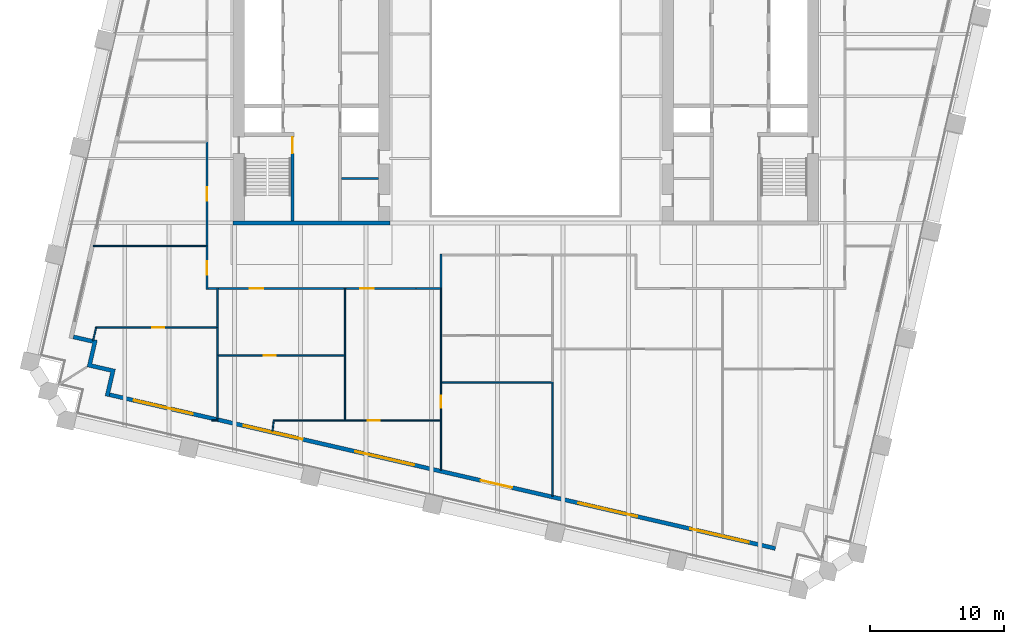
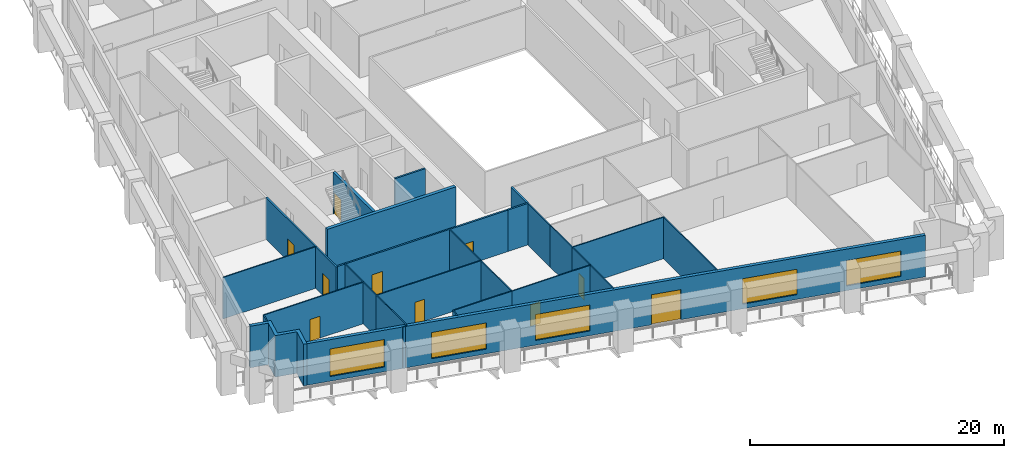
# One storey, part 4 of 12: 31 walls, 10 doors, 5 windows, 15 openings.
"""IFC4 building model written with IfcOpenShell, lengths in metres."""

import ifcopenshell
import ifcopenshell.guid

model = None  # the IFC model being written
_history = None  # IfcOwnerHistory: only IFC2X3 demands one
_inside = {}  # id of a spatial element -> (the spatial element, [elements in it])
_under = {}  # id of a project, library or spatial element -> (it, [spatial elements below it])
_declared = {}  # id of a project -> (the project, [libraries it declares])
_typed = {}  # id of a type object -> (the type object, [elements of that type])
_made_of = {}  # id of a material, layer set ... -> (it, [elements and type objects made of it])


def new_model(schema):
    """Start an empty IFC model of exactly this schema.

    Asked for "IFC4X3", IfcOpenShell would pick the latest addendum, in which some entities
    have other attributes; the version numbers below select the first issue.
    IFC2X3 requires an IfcOwnerHistory on every rooted entity: one is made here for all.
    """
    global model, _history
    if schema == "IFC4X3":
        model = ifcopenshell.file(schema_version=(4, 3, 0, 0))
    else:
        model = ifcopenshell.file(schema=schema)
    _inside.clear()
    _under.clear()
    _declared.clear()
    _typed.clear()
    _made_of.clear()
    _history = None
    if model.schema == "IFC2X3":
        org = make("IfcOrganization", Name="unknown")
        user = make(
            "IfcPersonAndOrganization",
            ThePerson=make("IfcPerson", FamilyName="unknown"),
            TheOrganization=org,
        )
        app = make(
            "IfcApplication",
            ApplicationDeveloper=org,
            Version="unknown",
            ApplicationFullName="unknown",
            ApplicationIdentifier="unknown",
        )
        _history = make(
            "IfcOwnerHistory",
            OwningUser=user,
            OwningApplication=app,
            ChangeAction="ADDED",
            CreationDate=0,
        )
    return model


def make(cls, **values):
    """One entity of the class cls with the attributes given. An attribute that is None is left unset."""
    return model.create_entity(
        cls, **{name: value for name, value in values.items() if value is not None}
    )


def rooted(cls, **values):
    """An entity with a GlobalId (a new one), such as an element, a storey or a relation."""
    return make(cls, GlobalId=ifcopenshell.guid.new(), OwnerHistory=_history, **values)


def si_unit(unit_type, name, prefix=None):
    """IfcSIUnit, for example si_unit("LENGTHUNIT", "METRE", prefix="MILLI")."""
    return make("IfcSIUnit", UnitType=unit_type, Prefix=prefix, Name=name)


def assignment(units):
    """IfcUnitAssignment: the units of a project."""
    return None if units is None else make("IfcUnitAssignment", Units=units)


def point(xyz):
    """IfcCartesianPoint."""
    return None if xyz is None else make("IfcCartesianPoint", Coordinates=xyz)


def direction(xyz):
    """IfcDirection."""
    return None if xyz is None else make("IfcDirection", DirectionRatios=xyz)


def frame(location, z_axis=None, x_axis=None):
    """IfcAxis2Placement3D, a coordinate frame: its origin and axes. An axis left out is left unset."""
    return make(
        "IfcAxis2Placement3D",
        Location=point(location),
        Axis=direction(z_axis),
        RefDirection=direction(x_axis),
    )


def frame_2d(location, x_axis=None):
    """IfcAxis2Placement2D, a coordinate frame in the plane: its origin and x axis."""
    return make(
        "IfcAxis2Placement2D", Location=point(location), RefDirection=direction(x_axis)
    )


def origin():
    """The frame at (0, 0, 0) with its axes left unset."""
    return frame((0.0, 0.0, 0.0))


def place(relative_to, where):
    """IfcLocalPlacement: puts the frame where relative to a parent placement (None: the world)."""
    return make(
        "IfcLocalPlacement", PlacementRelTo=relative_to, RelativePlacement=where
    )


def context(
    kind, dimensions, precision=None, world=None, true_north=None, identifier=None
):
    """IfcGeometricRepresentationContext, for example the 3D "Model" context."""
    return make(
        "IfcGeometricRepresentationContext",
        ContextIdentifier=identifier,
        ContextType=kind,
        CoordinateSpaceDimension=dimensions,
        Precision=precision,
        WorldCoordinateSystem=world,
        TrueNorth=true_north,
    )


def subcontext(parent, identifier, kind, view, scale=None):
    """IfcGeometricRepresentationSubContext, for example "Body" below "Model"."""
    return make(
        "IfcGeometricRepresentationSubContext",
        ContextIdentifier=identifier,
        ContextType=kind,
        ParentContext=parent,
        TargetScale=scale,
        TargetView=view,
    )


def project(units=None, contexts=None):
    """IfcProject with its units and contexts."""
    return rooted(
        "IfcProject",
        Name="project",
        RepresentationContexts=contexts,
        UnitsInContext=assignment(units),
    )


def spatial(cls, under=None, at=None, **own):
    """A site, building, storey or space (cls), placed at a placement, below another one or the project."""
    s = rooted(cls, ObjectPlacement=at, **own)
    if under is not None:
        _under.setdefault(under.id(), (under, []))[1].append(s)
    return s


def polyline(points):
    """IfcPolyline through the points."""
    return make("IfcPolyline", Points=[point(p) for p in points])


def profile(cls, at=None, kind="AREA", **sizes):
    """A parametric profile (cls). Its sizes go by their IFC names, for example OverallWidth=200.0."""
    return make(cls, ProfileType=kind, Position=at, **sizes)


def rectangle(**sizes):
    """IfcRectangleProfileDef."""
    return profile("IfcRectangleProfileDef", **sizes)


def outline(outer, holes=None, kind="AREA"):
    """IfcArbitraryClosedProfileDef: a profile drawn as a closed curve; with holes, ...WithVoids."""
    if holes is None:
        return make("IfcArbitraryClosedProfileDef", ProfileType=kind, OuterCurve=outer)
    return make(
        "IfcArbitraryProfileDefWithVoids",
        ProfileType=kind,
        OuterCurve=outer,
        InnerCurves=holes,
    )


def extrude(swept, where, along, depth):
    """IfcExtrudedAreaSolid: the profile swept, set in the frame where, extruded along a direction by depth."""
    return make(
        "IfcExtrudedAreaSolid",
        SweptArea=swept,
        Position=where,
        ExtrudedDirection=direction(along),
        Depth=depth,
    )


def shape(context_of_items, identifier, shape_type, items):
    """IfcShapeRepresentation: the items that make up one representation, for example the "Body"."""
    return make(
        "IfcShapeRepresentation",
        ContextOfItems=context_of_items,
        RepresentationIdentifier=identifier,
        RepresentationType=shape_type,
        Items=items,
    )


def material(Name=None, Category=None):
    """IfcMaterial."""
    return make("IfcMaterial", Name=Name, Category=Category)


def layer(
    of_material, thickness, ventilated=None, Name=None, Category=None, Priority=None
):
    """IfcMaterialLayer: one layer of a wall or slab, of a material (None: an air gap)."""
    return make(
        "IfcMaterialLayer",
        Material=of_material,
        LayerThickness=thickness,
        IsVentilated=ventilated,
        Name=Name,
        Category=Category,
        Priority=Priority,
    )


def layer_set(layers, Name=None):
    """IfcMaterialLayerSet."""
    return make("IfcMaterialLayerSet", MaterialLayers=layers, LayerSetName=Name)


def made_of(thing, what):
    """Note that an element or type object is made of a material, layer set ...; save() writes the relation."""
    if what is not None:
        _made_of.setdefault(what.id(), (what, []))[1].append(thing)
    return thing


def type_object(cls, material=None, **own):
    """A type object (cls), such as IfcWallType, which elements share."""
    return made_of(rooted(cls, **own), material)


def element(
    cls,
    number,
    at=None,
    inside=None,
    cuts=None,
    type_object=None,
    material=None,
    context=None,
    identifier="Body",
    shape_type=None,
    held_by="IfcProductDefinitionShape",
    body=None,
    shapes=None,
    **own,
):
    """One element of the class cls, such as IfcWall. Its Tag is "e" and its number.

    at: its placement. inside: the storey or other place that contains it. cuts: it is an
    opening in that element (IfcRelVoidsElement). A single representation is given by context,
    identifier, shape_type and body (its items); several are given by shapes. held_by: the class
    of the entity that holds the representations. save() writes the other relations.
    """
    e = rooted(cls, Tag="e%d" % number, ObjectPlacement=at, **own)
    if body is not None:
        shapes = [shape(context, identifier, shape_type, body)]
    if shapes is not None:
        e.Representation = make(held_by, Representations=shapes)
    if inside is not None:
        _inside.setdefault(inside.id(), (inside, []))[1].append(e)
    if cuts is not None:
        rooted(
            "IfcRelVoidsElement", RelatingBuildingElement=cuts, RelatedOpeningElement=e
        )
    if type_object is not None:
        _typed.setdefault(type_object.id(), (type_object, []))[1].append(e)
    return made_of(e, material)


def fill(opening, filler):
    """IfcRelFillsElement: the door or window that sits in an opening."""
    return rooted(
        "IfcRelFillsElement",
        RelatingOpeningElement=opening,
        RelatedBuildingElement=filler,
    )


def aggregate(whole, parts):
    """IfcRelAggregates: a whole, such as a stair, and the parts it consists of."""
    return rooted("IfcRelAggregates", RelatingObject=whole, RelatedObjects=parts)


def save(model, path):
    """Write the relations noted so far, then the file.

    IfcRelAggregates (storeys below a building ...), IfcRelContainedInSpatialStructure (elements
    in a storey), IfcRelDefinesByType, IfcRelAssociatesMaterial and IfcRelDeclares: one each for
    every whole, place, type object, material and project.
    """
    for whole, parts in _under.values():
        aggregate(whole, parts)
    for where, things in _inside.values():
        rooted(
            "IfcRelContainedInSpatialStructure",
            RelatedElements=things,
            RelatingStructure=where,
        )
    for kind, things in _typed.values():
        rooted("IfcRelDefinesByType", RelatedObjects=things, RelatingType=kind)
    for what, things in _made_of.values():
        rooted("IfcRelAssociatesMaterial", RelatedObjects=things, RelatingMaterial=what)
    for by, libraries in _declared.values():
        rooted("IfcRelDeclares", RelatingContext=by, RelatedDefinitions=libraries)
    model.write(path)


model = new_model("IFC4")

# Units and contexts
model_context = context("Model", 3, precision=1e-05, world=origin(), true_north=direction((0.0, 1.0)))
body_context = subcontext(model_context, "Body", "Model", "MODEL_VIEW")
ifc_project = project(units=[si_unit("LENGTHUNIT", "METRE"), si_unit("AREAUNIT", "SQUARE_METRE"), si_unit("VOLUMEUNIT", "CUBIC_METRE"), si_unit("PLANEANGLEUNIT", "RADIAN"), si_unit("MASSUNIT", "GRAM", prefix="KILO")], contexts=[model_context])

# Site, building, storey
site_placement = place(None, origin())
site = spatial("IfcSite", under=ifc_project, at=site_placement, CompositionType="ELEMENT")
building_placement = place(site_placement, origin())
building = spatial("IfcBuilding", under=site, at=building_placement, Name="Ogive Exchange Tower", CompositionType="ELEMENT")
storey_placement = place(building_placement, frame((0.0, 0.0, 130.800048828125)))
storey = spatial("IfcBuildingStorey", under=building, at=storey_placement, Name="L28", CompositionType="ELEMENT", Elevation=130.800048828125)

# Wall
ifc_material_1 = material(Name="Gypsum board partition")
ifc_layer_1 = layer(ifc_material_1, 0.14990234375)
ifc_layer_set_1 = layer_set([ifc_layer_1], Name="Core room partition 150 gypsum")
wall_type_1 = type_object("IfcWallType", Name="Core room partition 150 gypsum", PredefinedType="PARTITIONING", material=ifc_layer_set_1)
wall_1_placement = place(storey_placement, frame((-13.75, 0.699951171875, 0.0), z_axis=(0.0, 0.0, 1.0), x_axis=(1.0, 0.0, 0.0)))
element("IfcWall", 1, at=wall_1_placement, inside=storey, type_object=wall_type_1, Name="W south room partition", PredefinedType="PARTITIONING", context=body_context, shape_type="SweptSolid", body=[
    extrude(rectangle(XDim=2.75, YDim=0.14990234375, at=frame_2d((1.375, 0.0))), origin(), (0.0, 0.0, 1.0), 4.0),
])

# Wall, opening, door
ifc_material_2 = material(Name="Fire partition EI 60 150")
ifc_layer_2 = layer(ifc_material_2, 0.14990234375)
ifc_layer_set_2 = layer_set([ifc_layer_2], Name="Fire partition EI 60 150")
wall_type_2 = type_object("IfcWallType", Name="Fire partition EI 60 150", PredefinedType="PARTITIONING", material=ifc_layer_set_2)
wall_2_placement = place(storey_placement, frame((-23.800048828125, -7.574951171875, 0.0), z_axis=(0.0, 0.0, 1.0), x_axis=(0.0, 1.0, 0.0)))
wall_2 = element("IfcWall", 2, at=wall_2_placement, inside=storey, type_object=wall_type_2, Name="L28-PWL-003", PredefinedType="PARTITIONING", context=body_context, shape_type="SweptSolid", body=[
    extrude(rectangle(XDim=3.2548828125, YDim=0.14990234375, at=frame_2d((1.62744140625, 0.0))), origin(), (0.0, 0.0, 1.0), 4.0),
])
opening_1_placement = place(wall_2_placement, frame((1.10498046875, 0.0, 0.0)))
opening_1 = element("IfcOpeningElement", 3, at=opening_1_placement, cuts=wall_2, Name="Opening L28-I31", PredefinedType="OPENING", context=body_context, shape_type="SweptSolid", body=[
    extrude(rectangle(XDim=1.0, YDim=2.10009765625, at=frame_2d((0.5, 1.050048828125))), frame((0.0, 0.0849609375, 0.0), z_axis=(0.0, -1.0, 0.0), x_axis=(1.0, 0.0, 0.0)), (0.0, 0.0, 1.0), 0.169921875),
])
ifc_material_3 = material(Name="Fire door FD 30S 1000 x 2100")
door_type_1 = type_object("IfcDoorType", Name="Fire door FD 30S 1000 x 2100", OperationType="NOTDEFINED", PredefinedType="DOOR", material=ifc_material_3)
door_1_placement = place(opening_1_placement, origin())
door_1 = element("IfcDoor", 4, at=door_1_placement, inside=storey, type_object=door_type_1, Name="L28-IDR-031", ObjectType="DT3", OperationType="SINGLE_SWING_LEFT", OverallHeight=2.10009765625, OverallWidth=1.0, PredefinedType="DOOR", context=body_context, shape_type="SweptSolid", body=[
    extrude(rectangle(XDim=1.0, YDim=2.10009765625, at=frame_2d((0.5, 1.050048828125))), frame((0.0, 0.02490234375, 0.0), z_axis=(0.0, -1.0, 0.0), x_axis=(1.0, 0.0, 0.0)), (0.0, 0.0, 1.0), 0.050048828125),
])
fill(opening_1, door_1)

wall_3_placement = place(storey_placement, frame((-23.800048828125, -4.320068359375, 0.0), z_axis=(0.0, 0.0, 1.0), x_axis=(0.0, 1.0, 0.0)))
wall_3 = element("IfcWall", 5, at=wall_3_placement, inside=storey, type_object=wall_type_2, Name="L28-PWL-005", PredefinedType="PARTITIONING", context=body_context, shape_type="SweptSolid", body=[
    extrude(rectangle(XDim=7.820068359375, YDim=0.14990234375, at=frame_2d((3.91015625, 0.0))), origin(), (0.0, 0.0, 1.0), 4.0),
])
opening_2_placement = place(wall_3_placement, frame((3.3701171875, 0.0, 0.0)))
opening_2 = element("IfcOpeningElement", 6, at=opening_2_placement, cuts=wall_3, Name="Opening L28-I26", PredefinedType="OPENING", context=body_context, shape_type="SweptSolid", body=[
    extrude(rectangle(XDim=1.0, YDim=2.10009765625, at=frame_2d((0.5, 1.050048828125))), frame((0.0, 0.0849609375, 0.0), z_axis=(0.0, -1.0, 0.0), x_axis=(1.0, 0.0, 0.0)), (0.0, 0.0, 1.0), 0.169921875),
])
door_2_placement = place(opening_2_placement, origin())
door_2 = element("IfcDoor", 7, at=door_2_placement, inside=storey, type_object=door_type_1, Name="L28-IDR-026", ObjectType="DT3", OperationType="SINGLE_SWING_RIGHT", OverallHeight=2.10009765625, OverallWidth=1.0, PredefinedType="DOOR", context=body_context, shape_type="SweptSolid", body=[
    extrude(rectangle(XDim=1.0, YDim=2.10009765625, at=frame_2d((0.5, 1.050048828125))), frame((0.0, 0.02490234375, 0.0), z_axis=(0.0, -1.0, 0.0), x_axis=(1.0, 0.0, 0.0)), (0.0, 0.0, 1.0), 0.050048828125),
])
fill(opening_2, door_2)

# Wall
wall_4_placement = place(storey_placement, frame((-23.06005859375, -7.5, 0.0), z_axis=(0.0, 0.0, 1.0), x_axis=(-1.0, 0.0, 0.0)))
element("IfcWall", 8, at=wall_4_placement, inside=storey, type_object=wall_type_2, Name="L28-PWL-020", PredefinedType="PARTITIONING", context=body_context, shape_type="SweptSolid", body=[
    extrude(rectangle(XDim=0.6650390625, YDim=0.14990234375, at=frame_2d((0.33251953125, 0.0))), origin(), (0.0, 0.0, 1.0), 4.0),
])

# Wall, opening, door
wall_5_placement = place(storey_placement, frame((-13.550048828125, -7.5, 0.0), z_axis=(0.0, 0.0, 1.0), x_axis=(-1.0, 0.0, 0.0)))
wall_5 = element("IfcWall", 9, at=wall_5_placement, inside=storey, type_object=wall_type_2, Name="L28-PWL-034", PredefinedType="PARTITIONING", context=body_context, shape_type="SweptSolid", body=[
    extrude(rectangle(XDim=9.409912109375, YDim=0.14990234375, at=frame_2d((4.705078125, 0.0))), origin(), (0.0, 0.0, 1.0), 4.0),
])
opening_3_placement = place(wall_5_placement, frame((6.06005859375, 0.0, 0.0)))
opening_3 = element("IfcOpeningElement", 10, at=opening_3_placement, cuts=wall_5, Name="Opening L28-I30", PredefinedType="OPENING", context=body_context, shape_type="SweptSolid", body=[
    extrude(rectangle(XDim=1.0, YDim=2.10009765625, at=frame_2d((0.5, 1.050048828125))), frame((0.0, 0.0849609375, 0.0), z_axis=(0.0, -1.0, 0.0), x_axis=(1.0, 0.0, 0.0)), (0.0, 0.0, 1.0), 0.169921875),
])
door_3_placement = place(opening_3_placement, origin())
door_3 = element("IfcDoor", 11, at=door_3_placement, inside=storey, type_object=door_type_1, Name="L28-IDR-030", ObjectType="DT3", OperationType="SINGLE_SWING_LEFT", OverallHeight=2.10009765625, OverallWidth=1.0, PredefinedType="DOOR", context=body_context, shape_type="SweptSolid", body=[
    extrude(rectangle(XDim=1.0, YDim=2.10009765625, at=frame_2d((0.5, 1.050048828125))), frame((0.0, 0.02490234375, 0.0), z_axis=(0.0, -1.0, 0.0), x_axis=(1.0, 0.0, 0.0)), (0.0, 0.0, 1.0), 0.050048828125),
])
fill(opening_3, door_3)

wall_6_placement = place(storey_placement, frame((-8.199951171875, -7.5, 0.0), z_axis=(0.0, 0.0, 1.0), x_axis=(-1.0, 0.0, 0.0)))
wall_6 = element("IfcWall", 12, at=wall_6_placement, inside=storey, type_object=wall_type_2, Name="L28-PWL-035", PredefinedType="PARTITIONING", context=body_context, shape_type="SweptSolid", body=[
    extrude(rectangle(XDim=5.25, YDim=0.14990234375, at=frame_2d((2.625, 0.0))), origin(), (0.0, 0.0, 1.0), 4.0),
])
opening_4_placement = place(wall_6_placement, frame((3.14990234375, 0.0, 0.0)))
opening_4 = element("IfcOpeningElement", 13, at=opening_4_placement, cuts=wall_6, Name="Opening L28-I28", PredefinedType="OPENING", context=body_context, shape_type="SweptSolid", body=[
    extrude(rectangle(XDim=1.0, YDim=2.10009765625, at=frame_2d((0.5, 1.050048828125))), frame((0.0, 0.0849609375, 0.0), z_axis=(0.0, -1.0, 0.0), x_axis=(1.0, 0.0, 0.0)), (0.0, 0.0, 1.0), 0.169921875),
])
door_4_placement = place(opening_4_placement, origin())
door_4 = element("IfcDoor", 14, at=door_4_placement, inside=storey, type_object=door_type_1, Name="L28-IDR-028", ObjectType="DT3", OperationType="SINGLE_SWING_LEFT", OverallHeight=2.10009765625, OverallWidth=1.0, PredefinedType="DOOR", context=body_context, shape_type="SweptSolid", body=[
    extrude(rectangle(XDim=1.0, YDim=2.10009765625, at=frame_2d((0.5, 1.050048828125))), frame((0.0, 0.02490234375, 0.0), z_axis=(0.0, -1.0, 0.0), x_axis=(1.0, 0.0, 0.0)), (0.0, 0.0, 1.0), 0.050048828125),
])
fill(opening_4, door_4)

# Walls
wall_7_placement = place(storey_placement, frame((-6.389892578125, -7.489990234375, 0.0), z_axis=(0.0, 0.0, 1.0), x_axis=(-1.0, 0.0, 0.0)))
element("IfcWall", 15, at=wall_7_placement, inside=storey, type_object=wall_type_2, Name="L28-PWL-041", PredefinedType="PARTITIONING", context=body_context, shape_type="SweptSolid", body=[
    extrude(rectangle(XDim=1.81005859375, YDim=0.14990234375, at=frame_2d((0.905029296875, 0.0))), origin(), (0.0, 0.0, 1.0), 4.0),
])
wall_8_placement = place(storey_placement, frame((-6.340087890625, -4.925048828125, 0.0), z_axis=(0.0, 0.0, 1.0), x_axis=(0.0, -1.0, 0.0)))
element("IfcWall", 16, at=wall_8_placement, inside=storey, type_object=wall_type_2, Name="L28-PWL-042", PredefinedType="PARTITIONING", context=body_context, shape_type="SweptSolid", body=[
    extrude(rectangle(XDim=2.56494140625, YDim=0.14990234375, at=frame_2d((1.282470703125, 0.0))), origin(), (0.0, 0.0, 1.0), 4.0),
])

# Wall, openings, door, windows
ifc_material_4 = material(Name="Precast concrete C40/50", Category="concrete")
ifc_layer_3 = layer(ifc_material_4, 0.300048828125)
ifc_layer_set_3 = layer_set([ifc_layer_3], Name="Limestone-faced wall 300")
wall_type_3 = type_object("IfcWallType", Name="Limestone-faced wall 300", PredefinedType="STANDARD", material=ifc_layer_set_3)
wall_9_placement = place(storey_placement, frame((-31.07763671875, -15.4208984375, 0.0), z_axis=(0.0, 0.0, 1.0), x_axis=(0.974370456532, -0.224949357493, 0.0)))
wall_9 = element("IfcWall", 17, at=wall_9_placement, inside=storey, type_object=wall_type_3, Name="External wall S1", PredefinedType="STANDARD", context=body_context, shape_type="SweptSolid", body=[
    extrude(rectangle(XDim=51.0, YDim=0.300048828125, at=frame_2d((25.5, 0.0))), origin(), (0.0, 0.0, 1.0), 4.0),
])
opening_5_placement = place(wall_9_placement, frame((1.875, 0.0, 0.449951171875)))
opening_5 = element("IfcOpeningElement", 18, at=opening_5_placement, cuts=wall_9, Name="Opening W1K", PredefinedType="OPENING", context=body_context, shape_type="SweptSolid", body=[
    extrude(rectangle(XDim=4.5, YDim=2.64990234375, at=frame_2d((2.25, 1.324951171875))), frame((0.0, 0.159912109375, 0.0), z_axis=(0.0, -1.0, 0.0), x_axis=(1.0, 0.0, 0.0)), (0.0, 0.0, 1.0), 0.320068359375),
])
opening_6_placement = place(wall_9_placement, frame((10.27490234375, 0.0, 0.449951171875)))
opening_6 = element("IfcOpeningElement", 19, at=opening_6_placement, cuts=wall_9, Name="Opening W1N", PredefinedType="OPENING", context=body_context, shape_type="SweptSolid", body=[
    extrude(rectangle(XDim=4.5, YDim=2.52490234375, at=frame_2d((2.25, 1.262451171875))), frame((0.0, 0.159912109375, 0.0), z_axis=(0.0, -1.0, 0.0), x_axis=(1.0, 0.0, 0.0)), (0.0, 0.0, 1.0), 0.320068359375),
])
opening_7_placement = place(wall_9_placement, frame((18.824951171875, 0.0, 0.449951171875)))
opening_7 = element("IfcOpeningElement", 20, at=opening_7_placement, cuts=wall_9, Name="Opening W1O", PredefinedType="OPENING", context=body_context, shape_type="SweptSolid", body=[
    extrude(rectangle(XDim=4.5, YDim=2.5, at=frame_2d((2.25, 1.25))), frame((0.0, 0.159912109375, 0.0), z_axis=(0.0, -1.0, 0.0), x_axis=(1.0, 0.0, 0.0)), (0.0, 0.0, 1.0), 0.320068359375),
])
opening_8_placement = place(wall_9_placement, frame((28.425048828125, 0.0, 0.0)))
opening_8 = element("IfcOpeningElement", 21, at=opening_8_placement, cuts=wall_9, Name="Opening D1P", PredefinedType="OPENING", context=body_context, shape_type="SweptSolid", body=[
    extrude(rectangle(XDim=2.39990234375, YDim=2.89990234375, at=frame_2d((1.199951171875, 1.449951171875))), frame((0.0, 0.159912109375, 0.0), z_axis=(0.0, -1.0, 0.0), x_axis=(1.0, 0.0, 0.0)), (0.0, 0.0, 1.0), 0.320068359375),
])
opening_9_placement = place(wall_9_placement, frame((35.925048828125, 0.0, 0.449951171875)))
opening_9 = element("IfcOpeningElement", 22, at=opening_9_placement, cuts=wall_9, Name="Opening W1Q", PredefinedType="OPENING", context=body_context, shape_type="SweptSolid", body=[
    extrude(rectangle(XDim=4.5, YDim=2.449951171875, at=frame_2d((2.25, 1.22509765625))), frame((0.0, 0.159912109375, 0.0), z_axis=(0.0, -1.0, 0.0), x_axis=(1.0, 0.0, 0.0)), (0.0, 0.0, 1.0), 0.320068359375),
])
opening_10_placement = place(wall_9_placement, frame((44.47509765625, 0.0, 0.449951171875)))
opening_10 = element("IfcOpeningElement", 23, at=opening_10_placement, cuts=wall_9, Name="Opening W1Q", PredefinedType="OPENING", context=body_context, shape_type="SweptSolid", body=[
    extrude(rectangle(XDim=4.5, YDim=2.449951171875, at=frame_2d((2.25, 1.22509765625))), frame((0.0, 0.159912109375, 0.0), z_axis=(0.0, -1.0, 0.0), x_axis=(1.0, 0.0, 0.0)), (0.0, 0.0, 1.0), 0.320068359375),
])
ifc_material_5 = material(Name="Clear glass in bronze frame", Category="glass")
door_type_2 = type_object("IfcDoorType", Name="Sliding loggia door 2400 x 2900", OperationType="DOUBLE_DOOR_SLIDING", PredefinedType="DOOR", material=ifc_material_5)
door_5_placement = place(opening_8_placement, origin())
door_5 = element("IfcDoor", 24, at=door_5_placement, inside=storey, type_object=door_type_2, Name="Loggia door S03", OperationType="DOUBLE_DOOR_SLIDING", OverallHeight=2.89990234375, OverallWidth=2.39990234375, PredefinedType="DOOR", context=body_context, shape_type="SweptSolid", body=[
    extrude(rectangle(XDim=2.39990234375, YDim=2.89990234375, at=frame_2d((1.199951171875, 1.449951171875))), frame((0.0, 0.02490234375, 0.0), z_axis=(0.0, -1.0, 0.0), x_axis=(1.0, 0.0, 0.0)), (0.0, 0.0, 1.0), 0.050048828125),
])
fill(opening_8, door_5)
window_type_1 = type_object("IfcWindowType", Name="Twin lancet window 4500 x 2450", PartitioningType="DOUBLE_PANEL_VERTICAL", PredefinedType="WINDOW", material=ifc_material_5)
window_1_placement = place(opening_9_placement, origin())
window_1 = element("IfcWindow", 25, at=window_1_placement, inside=storey, type_object=window_type_1, Name="Window S04", OverallHeight=2.449951171875, OverallWidth=4.5, PartitioningType="DOUBLE_PANEL_VERTICAL", PredefinedType="WINDOW", context=body_context, shape_type="SweptSolid", body=[
    extrude(rectangle(XDim=4.5, YDim=2.449951171875, at=frame_2d((2.25, 1.22509765625))), frame((0.0, 0.030029296875, 0.0), z_axis=(0.0, -1.0, 0.0), x_axis=(1.0, 0.0, 0.0)), (0.0, 0.0, 1.0), 0.06005859375),
])
fill(opening_9, window_1)
window_2_placement = place(opening_10_placement, origin())
window_2 = element("IfcWindow", 26, at=window_2_placement, inside=storey, type_object=window_type_1, Name="Window S05", OverallHeight=2.449951171875, OverallWidth=4.5, PartitioningType="DOUBLE_PANEL_VERTICAL", PredefinedType="WINDOW", context=body_context, shape_type="SweptSolid", body=[
    extrude(rectangle(XDim=4.5, YDim=2.449951171875, at=frame_2d((2.25, 1.22509765625))), frame((0.0, 0.030029296875, 0.0), z_axis=(0.0, -1.0, 0.0), x_axis=(1.0, 0.0, 0.0)), (0.0, 0.0, 1.0), 0.06005859375),
])
fill(opening_10, window_2)
window_type_2 = type_object("IfcWindowType", Name="Twin lancet window 4500 x 2500", PartitioningType="DOUBLE_PANEL_VERTICAL", PredefinedType="WINDOW", material=ifc_material_5)
window_3_placement = place(opening_7_placement, origin())
window_3 = element("IfcWindow", 27, at=window_3_placement, inside=storey, type_object=window_type_2, Name="Window S02", OverallHeight=2.5, OverallWidth=4.5, PartitioningType="DOUBLE_PANEL_VERTICAL", PredefinedType="WINDOW", context=body_context, shape_type="SweptSolid", body=[
    extrude(rectangle(XDim=4.5, YDim=2.5, at=frame_2d((2.25, 1.25))), frame((0.0, 0.030029296875, 0.0), z_axis=(0.0, -1.0, 0.0), x_axis=(1.0, 0.0, 0.0)), (0.0, 0.0, 1.0), 0.06005859375),
])
fill(opening_7, window_3)
window_type_3 = type_object("IfcWindowType", Name="Twin lancet window 4500 x 2525", PartitioningType="DOUBLE_PANEL_VERTICAL", PredefinedType="WINDOW", material=ifc_material_5)
window_4_placement = place(opening_6_placement, origin())
window_4 = element("IfcWindow", 28, at=window_4_placement, inside=storey, type_object=window_type_3, Name="Window S01", OverallHeight=2.52490234375, OverallWidth=4.5, PartitioningType="DOUBLE_PANEL_VERTICAL", PredefinedType="WINDOW", context=body_context, shape_type="SweptSolid", body=[
    extrude(rectangle(XDim=4.5, YDim=2.52490234375, at=frame_2d((2.25, 1.262451171875))), frame((0.0, 0.030029296875, 0.0), z_axis=(0.0, -1.0, 0.0), x_axis=(1.0, 0.0, 0.0)), (0.0, 0.0, 1.0), 0.06005859375),
])
fill(opening_6, window_4)
window_type_4 = type_object("IfcWindowType", Name="Twin lancet window 4500 x 2650", PartitioningType="DOUBLE_PANEL_VERTICAL", PredefinedType="WINDOW", material=ifc_material_5)
window_5_placement = place(opening_5_placement, origin())
window_5 = element("IfcWindow", 29, at=window_5_placement, inside=storey, type_object=window_type_4, Name="Window S00", OverallHeight=2.64990234375, OverallWidth=4.5, PartitioningType="DOUBLE_PANEL_VERTICAL", PredefinedType="WINDOW", context=body_context, shape_type="SweptSolid", body=[
    extrude(rectangle(XDim=4.5, YDim=2.64990234375, at=frame_2d((2.25, 1.324951171875))), frame((0.0, 0.030029296875, 0.0), z_axis=(0.0, -1.0, 0.0), x_axis=(1.0, 0.0, 0.0)), (0.0, 0.0, 1.0), 0.06005859375),
])
fill(opening_5, window_5)

# Walls
wall_10_placement = place(storey_placement, origin())
element("IfcWall", 30, at=wall_10_placement, inside=storey, type_object=wall_type_3, Name="External corner wall C4", PredefinedType="STANDARD", context=body_context, shape_type="SweptSolid", body=[
    extrude(outline(polyline([(-32.392822265625, -13.115966796875), (-30.638916015625, -13.52099609375), (-31.111328125, -15.56689453125), (-31.40380859375, -15.49951171875), (-30.998779296875, -13.74560546875), (-32.752685546875, -13.3408203125), (-32.34765625, -11.5869140625), (-33.809326171875, -11.24951171875), (-33.74169921875, -10.957275390625), (-31.98779296875, -11.362060546875), (-32.392822265625, -13.115966796875)])), origin(), (0.0, 0.0, 1.0), 4.0),
])
ifc_material_6 = material(Name="Partition 100 gypsum")
ifc_layer_4 = layer(ifc_material_6, 0.10009765625)
ifc_layer_set_4 = layer_set([ifc_layer_4], Name="Partition 100 gypsum")
wall_type_4 = type_object("IfcWallType", Name="Partition 100 gypsum", PredefinedType="PARTITIONING", material=ifc_layer_set_4)
wall_11_placement = place(storey_placement, frame((-32.069091796875, -10.361083984375, 0.0), z_axis=(0.0, 0.0, 1.0), x_axis=(-0.222987762652, -0.974821243976, 0.0)))
element("IfcWall", 31, at=wall_11_placement, inside=storey, type_object=wall_type_4, Name="L28-PWL-001", PredefinedType="PARTITIONING", context=body_context, shape_type="SweptSolid", body=[
    extrude(rectangle(XDim=1.0576171875, YDim=0.10009765625, at=frame_2d((0.52880859375, 0.0))), origin(), (0.0, 0.0, 1.0), 4.0),
])
wall_12_placement = place(storey_placement, frame((-23.875, -4.320068359375, 0.0), z_axis=(0.0, 0.0, 1.0), x_axis=(-1.0, 0.0, 0.0)))
element("IfcWall", 32, at=wall_12_placement, inside=storey, type_object=wall_type_4, Name="L28-PWL-004", PredefinedType="PARTITIONING", context=body_context, shape_type="SweptSolid", body=[
    extrude(rectangle(XDim=8.4169921875, YDim=0.10009765625, at=frame_2d((4.20849609375, 0.0))), origin(), (0.0, 0.0, 1.0), 4.0),
])
wall_13_placement = place(storey_placement, frame((-23.429931640625, -17.340087890625, 0.0), z_axis=(0.0, 0.0, 1.0), x_axis=(1.0, 0.0, 0.0)))
element("IfcWall", 33, at=wall_13_placement, inside=storey, type_object=wall_type_4, Name="L28-PWL-014", PredefinedType="PARTITIONING", context=body_context, shape_type="SweptSolid", body=[
    extrude(rectangle(XDim=0.419921875, YDim=0.10009765625, at=frame_2d((0.2099609375, 0.0))), origin(), (0.0, 0.0, 1.0), 4.0),
])
wall_14_placement = place(storey_placement, frame((-23.010009765625, -17.2119140625, 0.0), z_axis=(0.0, 0.0, 1.0), x_axis=(0.0, 1.0, 0.0)))
element("IfcWall", 34, at=wall_14_placement, inside=storey, type_object=wall_type_4, Name="L28-PWL-015", PredefinedType="PARTITIONING", context=body_context, shape_type="SweptSolid", body=[
    extrude(rectangle(XDim=4.761962890625, YDim=0.10009765625, at=frame_2d((2.380859375, 0.0))), origin(), (0.0, 0.0, 1.0), 4.0),
])
wall_15_placement = place(storey_placement, frame((-23.010009765625, -12.449951171875, 0.0), z_axis=(0.0, 0.0, 1.0), x_axis=(0.0, 1.0, 0.0)))
element("IfcWall", 35, at=wall_15_placement, inside=storey, type_object=wall_type_4, Name="L28-PWL-016", PredefinedType="PARTITIONING", context=body_context, shape_type="SweptSolid", body=[
    extrude(rectangle(XDim=2.0400390625, YDim=0.10009765625, at=frame_2d((1.02001953125, 0.0))), origin(), (0.0, 0.0, 1.0), 4.0),
])

# Wall, opening, door
wall_16_placement = place(storey_placement, frame((-22.9599609375, -12.5, 0.0), z_axis=(0.0, 0.0, 1.0), x_axis=(1.0, 0.0, 0.0)))
wall_16 = element("IfcWall", 36, at=wall_16_placement, inside=storey, type_object=wall_type_4, Name="L28-PWL-017", PredefinedType="PARTITIONING", context=body_context, shape_type="SweptSolid", body=[
    extrude(rectangle(XDim=9.510009765625, YDim=0.10009765625, at=frame_2d((4.7548828125, 0.0))), origin(), (0.0, 0.0, 1.0), 4.0),
])
opening_11_placement = place(wall_16_placement, frame((3.39990234375, 0.0, 0.0)))
opening_11 = element("IfcOpeningElement", 37, at=opening_11_placement, cuts=wall_16, Name="Opening L28-I29", PredefinedType="OPENING", context=body_context, shape_type="SweptSolid", body=[
    extrude(rectangle(XDim=0.89990234375, YDim=2.10009765625, at=frame_2d((0.449951171875, 1.050048828125))), frame((0.0, 0.06005859375, 0.0), z_axis=(0.0, -1.0, 0.0), x_axis=(1.0, 0.0, 0.0)), (0.0, 0.0, 1.0), 0.1201171875),
])
ifc_material_7 = material(Name="Door 900 x 2100")
door_type_3 = type_object("IfcDoorType", Name="Door 900 x 2100", OperationType="NOTDEFINED", PredefinedType="DOOR", material=ifc_material_7)
door_6_placement = place(opening_11_placement, origin())
door_6 = element("IfcDoor", 38, at=door_6_placement, inside=storey, type_object=door_type_3, Name="L28-IDR-029", ObjectType="DT1", OperationType="SINGLE_SWING_RIGHT", OverallHeight=2.10009765625, OverallWidth=0.89990234375, PredefinedType="DOOR", context=body_context, shape_type="SweptSolid", body=[
    extrude(rectangle(XDim=0.89990234375, YDim=2.10009765625, at=frame_2d((0.449951171875, 1.050048828125))), frame((0.0, 0.02490234375, 0.0), z_axis=(0.0, -1.0, 0.0), x_axis=(1.0, 0.0, 0.0)), (0.0, 0.0, 1.0), 0.050048828125),
])
fill(opening_11, door_6)

wall_17_placement = place(storey_placement, frame((-23.06005859375, -10.409912109375, 0.0), z_axis=(0.0, 0.0, 1.0), x_axis=(-1.0, 0.0, 0.0)))
wall_17 = element("IfcWall", 39, at=wall_17_placement, inside=storey, type_object=wall_type_4, Name="L28-PWL-018", PredefinedType="PARTITIONING", context=body_context, shape_type="SweptSolid", body=[
    extrude(rectangle(XDim=8.969970703125, YDim=0.10009765625, at=frame_2d((4.48486328125, 0.0))), origin(), (0.0, 0.0, 1.0), 4.0),
])
opening_12_placement = place(wall_17_placement, frame((3.919921875, 0.0, 0.0)))
opening_12 = element("IfcOpeningElement", 40, at=opening_12_placement, cuts=wall_17, Name="Opening L28-I32", PredefinedType="OPENING", context=body_context, shape_type="SweptSolid", body=[
    extrude(rectangle(XDim=0.89990234375, YDim=2.10009765625, at=frame_2d((0.449951171875, 1.050048828125))), frame((0.0, 0.06005859375, 0.0), z_axis=(0.0, -1.0, 0.0), x_axis=(1.0, 0.0, 0.0)), (0.0, 0.0, 1.0), 0.1201171875),
])
door_7_placement = place(opening_12_placement, origin())
door_7 = element("IfcDoor", 41, at=door_7_placement, inside=storey, type_object=door_type_3, Name="L28-IDR-032", ObjectType="DT1", OperationType="SINGLE_SWING_RIGHT", OverallHeight=2.10009765625, OverallWidth=0.89990234375, PredefinedType="DOOR", context=body_context, shape_type="SweptSolid", body=[
    extrude(rectangle(XDim=0.89990234375, YDim=2.10009765625, at=frame_2d((0.449951171875, 1.050048828125))), frame((0.0, 0.02490234375, 0.0), z_axis=(0.0, -1.0, 0.0), x_axis=(1.0, 0.0, 0.0)), (0.0, 0.0, 1.0), 0.050048828125),
])
fill(opening_12, door_7)

# Walls
wall_18_placement = place(storey_placement, frame((-23.010009765625, -10.409912109375, 0.0), z_axis=(0.0, 0.0, 1.0), x_axis=(0.0, 1.0, 0.0)))
element("IfcWall", 42, at=wall_18_placement, inside=storey, type_object=wall_type_4, Name="L28-PWL-019", PredefinedType="PARTITIONING", context=body_context, shape_type="SweptSolid", body=[
    extrude(rectangle(XDim=2.98486328125, YDim=0.10009765625, at=frame_2d((1.492431640625, 0.0))), origin(), (0.0, 0.0, 1.0), 4.0),
])
wall_19_placement = place(storey_placement, frame((-18.9150390625, -18.156982421875, 0.0), z_axis=(0.0, 0.0, 1.0), x_axis=(0.11580251051, 0.993272258024, 0.0)))
element("IfcWall", 43, at=wall_19_placement, inside=storey, type_object=wall_type_4, Name="L28-PWL-021", PredefinedType="PARTITIONING", context=body_context, shape_type="SweptSolid", body=[
    extrude(rectangle(XDim=0.872802734375, YDim=0.10009765625, at=frame_2d((0.4365234375, 0.0))), origin(), (0.0, 0.0, 1.0), 4.0),
])
wall_20_placement = place(storey_placement, frame((-18.77001953125, -17.340087890625, 0.0), z_axis=(0.0, 0.0, 1.0), x_axis=(1.0, 0.0, 0.0)))
element("IfcWall", 44, at=wall_20_placement, inside=storey, type_object=wall_type_4, Name="L28-PWL-022", PredefinedType="PARTITIONING", context=body_context, shape_type="SweptSolid", body=[
    extrude(rectangle(XDim=5.27001953125, YDim=0.10009765625, at=frame_2d((2.635009765625, 0.0))), origin(), (0.0, 0.0, 1.0), 4.0),
])
wall_21_placement = place(storey_placement, frame((-13.5, -17.2900390625, 0.0), z_axis=(0.0, 0.0, 1.0), x_axis=(0.0, 1.0, 0.0)))
element("IfcWall", 45, at=wall_21_placement, inside=storey, type_object=wall_type_4, Name="L28-PWL-031", PredefinedType="PARTITIONING", context=body_context, shape_type="SweptSolid", body=[
    extrude(rectangle(XDim=4.739990234375, YDim=0.10009765625, at=frame_2d((2.3701171875, 0.0))), origin(), (0.0, 0.0, 1.0), 4.0),
])

# Wall, opening, door
wall_22_placement = place(storey_placement, frame((-13.5, -17.340087890625, 0.0), z_axis=(0.0, 0.0, 1.0), x_axis=(1.0, 0.0, 0.0)))
wall_22 = element("IfcWall", 46, at=wall_22_placement, inside=storey, type_object=wall_type_4, Name="L28-PWL-032", PredefinedType="PARTITIONING", context=body_context, shape_type="SweptSolid", body=[
    extrude(rectangle(XDim=7.2099609375, YDim=0.10009765625, at=frame_2d((3.60498046875, 0.0))), origin(), (0.0, 0.0, 1.0), 4.0),
])
opening_13_placement = place(wall_22_placement, frame((1.699951171875, 0.0, 0.0)))
opening_13 = element("IfcOpeningElement", 47, at=opening_13_placement, cuts=wall_22, Name="Opening L28-I27", PredefinedType="OPENING", context=body_context, shape_type="SweptSolid", body=[
    extrude(rectangle(XDim=0.89990234375, YDim=2.10009765625, at=frame_2d((0.449951171875, 1.050048828125))), frame((0.0, 0.06005859375, 0.0), z_axis=(0.0, -1.0, 0.0), x_axis=(1.0, 0.0, 0.0)), (0.0, 0.0, 1.0), 0.1201171875),
])
door_8_placement = place(opening_13_placement, frame((0.89990234375, 0.0, 0.0), z_axis=(0.0, 0.0, 1.0), x_axis=(-1.0, 0.0, 0.0)))
door_8 = element("IfcDoor", 48, at=door_8_placement, inside=storey, type_object=door_type_3, Name="L28-IDR-027", ObjectType="DT1", OperationType="SINGLE_SWING_LEFT", OverallHeight=2.10009765625, OverallWidth=0.89990234375, PredefinedType="DOOR", context=body_context, shape_type="SweptSolid", body=[
    extrude(rectangle(XDim=0.89990234375, YDim=2.10009765625, at=frame_2d((0.449951171875, 1.050048828125))), frame((0.0, 0.02490234375, 0.0), z_axis=(0.0, -1.0, 0.0), x_axis=(1.0, 0.0, 0.0)), (0.0, 0.0, 1.0), 0.050048828125),
])
fill(opening_13, door_8)

# Walls
wall_23_placement = place(storey_placement, frame((-13.5, -12.449951171875, 0.0), z_axis=(0.0, 0.0, 1.0), x_axis=(0.0, 1.0, 0.0)))
element("IfcWall", 49, at=wall_23_placement, inside=storey, type_object=wall_type_4, Name="L28-PWL-033", PredefinedType="PARTITIONING", context=body_context, shape_type="SweptSolid", body=[
    extrude(rectangle(XDim=5.02490234375, YDim=0.10009765625, at=frame_2d((2.512451171875, 0.0))), origin(), (0.0, 0.0, 1.0), 4.0),
])
wall_24_placement = place(storey_placement, frame((-6.340087890625, -21.06103515625, 0.0), z_axis=(0.0, 0.0, 1.0), x_axis=(0.0, 1.0, 0.0)))
element("IfcWall", 50, at=wall_24_placement, inside=storey, type_object=wall_type_4, Name="L28-PWL-037", PredefinedType="PARTITIONING", context=body_context, shape_type="SweptSolid", body=[
    extrude(rectangle(XDim=3.671142578125, YDim=0.10009765625, at=frame_2d((1.83544921875, 0.0))), origin(), (0.0, 0.0, 1.0), 4.0),
])

# Wall, opening, door
wall_25_placement = place(storey_placement, frame((-6.340087890625, -17.2900390625, 0.0), z_axis=(0.0, 0.0, 1.0), x_axis=(0.0, 1.0, 0.0)))
wall_25 = element("IfcWall", 51, at=wall_25_placement, inside=storey, type_object=wall_type_4, Name="L28-PWL-038", PredefinedType="PARTITIONING", context=body_context, shape_type="SweptSolid", body=[
    extrude(rectangle(XDim=2.739990234375, YDim=0.10009765625, at=frame_2d((1.3701171875, 0.0))), origin(), (0.0, 0.0, 1.0), 4.0),
])
opening_14_placement = place(wall_25_placement, frame((0.89990234375, 0.0, 0.0)))
opening_14 = element("IfcOpeningElement", 52, at=opening_14_placement, cuts=wall_25, Name="Opening L28-I03", PredefinedType="OPENING", context=body_context, shape_type="SweptSolid", body=[
    extrude(rectangle(XDim=0.89990234375, YDim=2.10009765625, at=frame_2d((0.449951171875, 1.050048828125))), frame((0.0, 0.06005859375, 0.0), z_axis=(0.0, -1.0, 0.0), x_axis=(1.0, 0.0, 0.0)), (0.0, 0.0, 1.0), 0.1201171875),
])
door_9_placement = place(opening_14_placement, frame((0.89990234375, 0.0, 0.0), z_axis=(0.0, 0.0, 1.0), x_axis=(-1.0, 0.0, 0.0)))
door_9 = element("IfcDoor", 53, at=door_9_placement, inside=storey, type_object=door_type_3, Name="L28-IDR-003", ObjectType="DT1", OperationType="SINGLE_SWING_RIGHT", OverallHeight=2.10009765625, OverallWidth=0.89990234375, PredefinedType="DOOR", context=body_context, shape_type="SweptSolid", body=[
    extrude(rectangle(XDim=0.89990234375, YDim=2.10009765625, at=frame_2d((0.449951171875, 1.050048828125))), frame((0.0, 0.02490234375, 0.0), z_axis=(0.0, -1.0, 0.0), x_axis=(1.0, 0.0, 0.0)), (0.0, 0.0, 1.0), 0.050048828125),
])
fill(opening_14, door_9)

# Walls
wall_26_placement = place(storey_placement, frame((-6.340087890625, -14.550048828125, 0.0), z_axis=(0.0, 0.0, 1.0), x_axis=(0.0, 1.0, 0.0)))
element("IfcWall", 54, at=wall_26_placement, inside=storey, type_object=wall_type_4, Name="L28-PWL-039", PredefinedType="PARTITIONING", context=body_context, shape_type="SweptSolid", body=[
    extrude(rectangle(XDim=3.5, YDim=0.10009765625, at=frame_2d((1.75, 0.0))), origin(), (0.0, 0.0, 1.0), 4.0),
])
wall_27_placement = place(storey_placement, frame((-6.340087890625, -11.050048828125, 0.0), z_axis=(0.0, 0.0, 1.0), x_axis=(0.0, 1.0, 0.0)))
element("IfcWall", 55, at=wall_27_placement, inside=storey, type_object=wall_type_4, Name="L28-PWL-040", PredefinedType="PARTITIONING", context=body_context, shape_type="SweptSolid", body=[
    extrude(rectangle(XDim=3.56005859375, YDim=0.10009765625, at=frame_2d((1.780029296875, 0.0))), origin(), (0.0, 0.0, 1.0), 4.0),
])
wall_28_placement = place(storey_placement, frame((2.0400390625, -14.5, 0.0), z_axis=(0.0, 0.0, 1.0), x_axis=(-1.0, 0.0, 0.0)))
element("IfcWall", 56, at=wall_28_placement, inside=storey, type_object=wall_type_4, Name="L28-PWL-050", PredefinedType="PARTITIONING", context=body_context, shape_type="SweptSolid", body=[
    extrude(rectangle(XDim=8.330078125, YDim=0.10009765625, at=frame_2d((4.1650390625, 0.0))), origin(), (0.0, 0.0, 1.0), 4.0),
])
wall_29_placement = place(storey_placement, frame((1.989990234375, -14.550048828125, 0.0), z_axis=(0.0, 0.0, 1.0), x_axis=(0.0, -1.0, 0.0)))
element("IfcWall", 57, at=wall_29_placement, inside=storey, type_object=wall_type_4, Name="L28-PWL-051", PredefinedType="PARTITIONING", context=body_context, shape_type="SweptSolid", body=[
    extrude(rectangle(XDim=8.433837890625, YDim=0.10009765625, at=frame_2d((4.216796875, 0.0))), origin(), (0.0, 0.0, 1.0), 4.0),
])

# Wall, opening, door
ifc_material_8 = material(Name="Concrete C70/85", Category="concrete")
ifc_layer_5 = layer(ifc_material_8, 0.25)
ifc_layer_set_5 = layer_set([ifc_layer_5], Name="RC core wall 250 C70/85")
wall_type_5 = type_object("IfcWallType", Name="RC core wall 250 C70/85", PredefinedType="SHEAR", material=ifc_layer_set_5)
wall_30_placement = place(storey_placement, frame((-17.425048828125, -2.449951171875, 0.0), z_axis=(0.0, 0.0, 1.0), x_axis=(0.0, 1.0, 0.0)))
wall_30 = element("IfcWall", 58, at=wall_30_placement, inside=storey, type_object=wall_type_5, Name="W stair S front wall", PredefinedType="SHEAR", context=body_context, shape_type="SweptSolid", body=[
    extrude(rectangle(XDim=6.300048828125, YDim=0.25, at=frame_2d((3.14990234375, 0.0))), origin(), (0.0, 0.0, 1.0), 4.0),
])
opening_15_placement = place(wall_30_placement, frame((5.050048828125, 0.0, 0.0)))
opening_15 = element("IfcOpeningElement", 59, at=opening_15_placement, cuts=wall_30, Name="Opening L28-C13", PredefinedType="OPENING", context=body_context, shape_type="SweptSolid", body=[
    extrude(rectangle(XDim=1.199951171875, YDim=2.10009765625, at=frame_2d((0.60009765625, 1.050048828125))), frame((0.0, 0.135009765625, 0.0), z_axis=(0.0, -1.0, 0.0), x_axis=(1.0, 0.0, 0.0)), (0.0, 0.0, 1.0), 0.27001953125),
])
ifc_material_9 = material(Name="Steel fire door", Category="steel")
door_type_4 = type_object("IfcDoorType", Name="Stair door FD90 1200 x 2100", OperationType="NOTDEFINED", PredefinedType="DOOR", material=ifc_material_9)
door_10_placement = place(opening_15_placement, origin())
door_10 = element("IfcDoor", 60, at=door_10_placement, inside=storey, type_object=door_type_4, Name="Stair door", ObjectType="CD5", OperationType="SINGLE_SWING_LEFT", OverallHeight=2.10009765625, OverallWidth=1.199951171875, PredefinedType="DOOR", context=body_context, shape_type="SweptSolid", body=[
    extrude(rectangle(XDim=1.199951171875, YDim=2.10009765625, at=frame_2d((0.60009765625, 1.050048828125))), frame((0.0, 0.02490234375, 0.0), z_axis=(0.0, -1.0, 0.0), x_axis=(1.0, 0.0, 0.0)), (0.0, 0.0, 1.0), 0.050048828125),
])
fill(opening_15, door_10)

# Wall
ifc_layer_6 = layer(ifc_material_8, 0.300048828125)
ifc_layer_set_6 = layer_set([ifc_layer_6], Name="RC core wall 300 C70/85")
wall_type_6 = type_object("IfcWallType", Name="RC core wall 300 C70/85", PredefinedType="SHEAR", material=ifc_layer_set_6)
wall_31_placement = place(storey_placement, frame((-21.85009765625, -2.60009765625, 0.0), z_axis=(0.0, 0.0, 1.0), x_axis=(1.0, 0.0, 0.0)))
element("IfcWall", 61, at=wall_31_placement, inside=storey, type_object=wall_type_6, Name="W south end wall", PredefinedType="SHEAR", context=body_context, shape_type="SweptSolid", body=[
    extrude(rectangle(XDim=11.7001953125, YDim=0.300048828125, at=frame_2d((5.85009765625, 0.0))), origin(), (0.0, 0.0, 1.0), 4.0),
])

save(model, "model.ifc")
